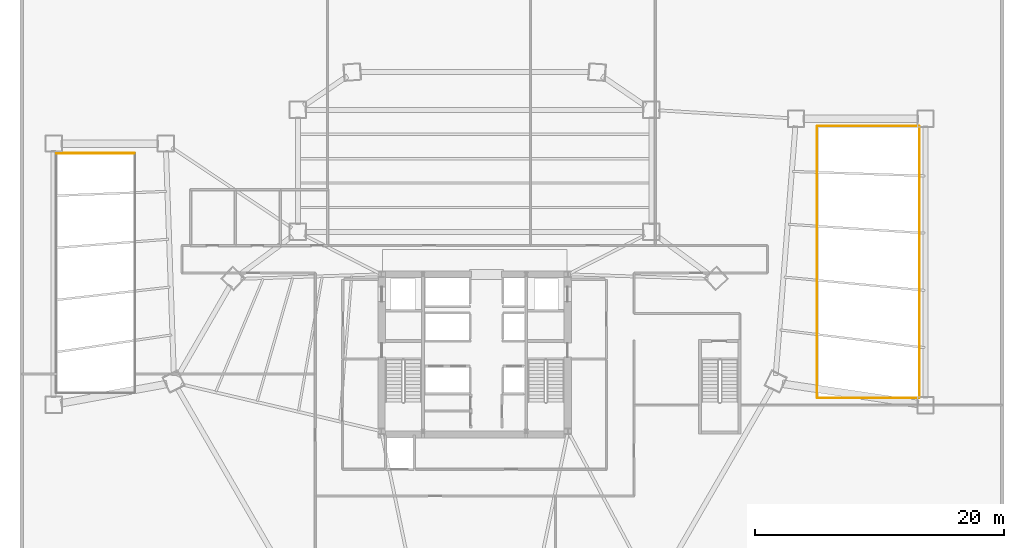
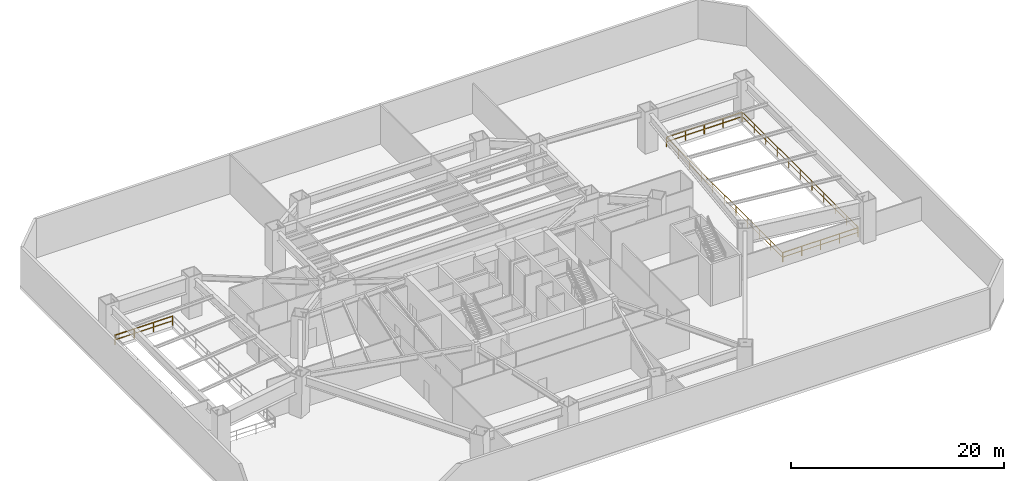
# One storey, part 11 of 11: 5 railings.
"""IFC4 building model written with IfcOpenShell, lengths in metres."""

from ifc_helpers import new_model, si_unit, direction, frame, origin, origin_2d, place, context, subcontext, project, spatial, rectangle, extrude, material, layer, layer_set, type_object, element, save


model = new_model("IFC4")

# Units and contexts
model_context = context("Model", 3, precision=1e-05, world=origin(), true_north=direction((0.0, 1.0)))
body_context = subcontext(model_context, "Body", "Model", "MODEL_VIEW")
ifc_project = project(units=[si_unit("LENGTHUNIT", "METRE"), si_unit("AREAUNIT", "SQUARE_METRE"), si_unit("VOLUMEUNIT", "CUBIC_METRE"), si_unit("PLANEANGLEUNIT", "RADIAN"), si_unit("MASSUNIT", "GRAM", prefix="KILO")], contexts=[model_context])

# Site, building, storey
site_placement = place(None, origin())
site = spatial("IfcSite", under=ifc_project, at=site_placement, CompositionType="ELEMENT")
building_placement = place(site_placement, origin())
building = spatial("IfcBuilding", under=site, at=building_placement, Name="Caelisora Broadcast Tower", CompositionType="ELEMENT")
storey_placement = place(building_placement, frame((0.0, 0.0, 5.39990234375)))
storey = spatial("IfcBuildingStorey", under=building, at=storey_placement, Name="L01", CompositionType="ELEMENT", Elevation=5.39990234375)

# Railings
ifc_material = material(Name="Galvanised Steel Safety Guardrail", Category="steel")
ifc_layer = layer(ifc_material, 0.048095703125, Name="Galvanised Steel Safety Guardrail")
ifc_layer_set = layer_set([ifc_layer], Name="Galvanised Steel Safety Guardrail")
railing_type = type_object("IfcRailingType", Name="GR-1", PredefinedType="GUARDRAIL", material=ifc_layer_set)
railing_1_placement = place(storey_placement, frame((10.679931640625, 39.719970703125, 0.0)))
element("IfcRailing", 1, at=railing_1_placement, inside=storey, type_object=railing_type, Name="L01 STA studio void guardrail #3", PredefinedType="GUARDRAIL", context=body_context, shape_type="SweptSolid", body=[
    extrude(rectangle(XDim=0.048095703125, YDim=0.048095703125, at=origin_2d()), frame((0.0, 0.0, 1.076171875), z_axis=(-1.0, 0.0, 0.0), x_axis=(0.0, -1.0, 0.0)), (0.0, 0.0, 1.0), 6.260009765625),
    extrude(rectangle(XDim=0.03125, YDim=0.03125, at=origin_2d()), frame((0.0, 0.0, 0.550048828125), z_axis=(-1.0, 0.0, 0.0), x_axis=(0.0, -1.0, 0.0)), (0.0, 0.0, 1.0), 6.260009765625),
    extrude(rectangle(XDim=0.0419921875, YDim=0.0419921875, at=origin_2d()), origin(), (0.0, 0.0, 1.0), 1.052001953125),
    extrude(rectangle(XDim=0.0419921875, YDim=0.0419921875, at=origin_2d()), frame((-2.086669921875, 0.0, 0.0)), (0.0, 0.0, 1.0), 1.052001953125),
    extrude(rectangle(XDim=0.0419921875, YDim=0.0419921875, at=origin_2d()), frame((-4.17333984375, 0.0, 0.0)), (0.0, 0.0, 1.0), 1.052001953125),
    extrude(rectangle(XDim=0.0419921875, YDim=0.0419921875, at=origin_2d()), frame((-6.260009765625, 0.0, 0.0)), (0.0, 0.0, 1.0), 1.052001953125),
])
railing_2_placement = place(storey_placement, frame((65.52001953125, 20.080078125, 0.0)))
element("IfcRailing", 2, at=railing_2_placement, inside=storey, type_object=railing_type, Name="L01 STB studio void guardrail #1", PredefinedType="GUARDRAIL", context=body_context, shape_type="SweptSolid", body=[
    extrude(rectangle(XDim=0.048095703125, YDim=0.048095703125, at=origin_2d()), frame((0.0, 0.0, 1.076171875), z_axis=(1.0, 0.0, 0.0), x_axis=(0.0, 1.0, 0.0)), (0.0, 0.0, 1.0), 8.159912109375),
    extrude(rectangle(XDim=0.03125, YDim=0.03125, at=origin_2d()), frame((0.0, 0.0, 0.550048828125), z_axis=(1.0, 0.0, 0.0), x_axis=(0.0, 1.0, 0.0)), (0.0, 0.0, 1.0), 8.159912109375),
    extrude(rectangle(XDim=0.0419921875, YDim=0.0419921875, at=origin_2d()), origin(), (0.0, 0.0, 1.0), 1.052001953125),
    extrude(rectangle(XDim=0.0419921875, YDim=0.0419921875, at=origin_2d()), frame((2.0400390625, 0.0, 0.0)), (0.0, 0.0, 1.0), 1.052001953125),
    extrude(rectangle(XDim=0.0419921875, YDim=0.0419921875, at=origin_2d()), frame((4.080078125, 0.0, 0.0)), (0.0, 0.0, 1.0), 1.052001953125),
    extrude(rectangle(XDim=0.0419921875, YDim=0.0419921875, at=origin_2d()), frame((6.119873046875, 0.0, 0.0)), (0.0, 0.0, 1.0), 1.052001953125),
    extrude(rectangle(XDim=0.0419921875, YDim=0.0419921875, at=origin_2d()), frame((8.159912109375, 0.0, 0.0)), (0.0, 0.0, 1.0), 1.052001953125),
])
railing_3_placement = place(storey_placement, frame((73.719970703125, 20.1201171875, 0.0)))
element("IfcRailing", 3, at=railing_3_placement, inside=storey, type_object=railing_type, Name="L01 STB studio void guardrail #2", PredefinedType="GUARDRAIL", context=body_context, shape_type="SweptSolid", body=[
    extrude(rectangle(XDim=0.048095703125, YDim=0.048095703125, at=origin_2d()), frame((0.0, 0.0, 1.076171875), z_axis=(0.0, 1.0, 0.0), x_axis=(-1.0, 0.0, 0.0)), (0.0, 0.0, 1.0), 21.759765625),
    extrude(rectangle(XDim=0.03125, YDim=0.03125, at=origin_2d()), frame((0.0, 0.0, 0.550048828125), z_axis=(0.0, 1.0, 0.0), x_axis=(-1.0, 0.0, 0.0)), (0.0, 0.0, 1.0), 21.759765625),
    extrude(rectangle(XDim=0.0419921875, YDim=0.0419921875, at=origin_2d()), origin(), (0.0, 0.0, 1.0), 1.052001953125),
    extrude(rectangle(XDim=0.0419921875, YDim=0.0419921875, at=origin_2d()), frame((0.0, 2.176025390625, 0.0)), (0.0, 0.0, 1.0), 1.052001953125),
    extrude(rectangle(XDim=0.0419921875, YDim=0.0419921875, at=origin_2d()), frame((0.0, 4.35205078125, 0.0)), (0.0, 0.0, 1.0), 1.052001953125),
    extrude(rectangle(XDim=0.0419921875, YDim=0.0419921875, at=origin_2d()), frame((0.0, 6.52783203125, 0.0)), (0.0, 0.0, 1.0), 1.052001953125),
    extrude(rectangle(XDim=0.0419921875, YDim=0.0419921875, at=origin_2d()), frame((0.0, 8.703857421875, 0.0)), (0.0, 0.0, 1.0), 1.052001953125),
    extrude(rectangle(XDim=0.0419921875, YDim=0.0419921875, at=origin_2d()), frame((0.0, 10.8798828125, 0.0)), (0.0, 0.0, 1.0), 1.052001953125),
    extrude(rectangle(XDim=0.0419921875, YDim=0.0419921875, at=origin_2d()), frame((0.0, 13.055908203125, 0.0)), (0.0, 0.0, 1.0), 1.052001953125),
    extrude(rectangle(XDim=0.0419921875, YDim=0.0419921875, at=origin_2d()), frame((0.0, 15.23193359375, 0.0)), (0.0, 0.0, 1.0), 1.052001953125),
    extrude(rectangle(XDim=0.0419921875, YDim=0.0419921875, at=origin_2d()), frame((0.0, 17.40771484375, 0.0)), (0.0, 0.0, 1.0), 1.052001953125),
    extrude(rectangle(XDim=0.0419921875, YDim=0.0419921875, at=origin_2d()), frame((0.0, 19.583740234375, 0.0)), (0.0, 0.0, 1.0), 1.052001953125),
    extrude(rectangle(XDim=0.0419921875, YDim=0.0419921875, at=origin_2d()), frame((0.0, 21.759765625, 0.0)), (0.0, 0.0, 1.0), 1.052001953125),
])
railing_4_placement = place(storey_placement, frame((73.679931640625, 41.919921875, 0.0)))
element("IfcRailing", 4, at=railing_4_placement, inside=storey, type_object=railing_type, Name="L01 STB studio void guardrail #3", PredefinedType="GUARDRAIL", context=body_context, shape_type="SweptSolid", body=[
    extrude(rectangle(XDim=0.048095703125, YDim=0.048095703125, at=origin_2d()), frame((0.0, 0.0, 1.076171875), z_axis=(-1.0, 0.0, 0.0), x_axis=(0.0, -1.0, 0.0)), (0.0, 0.0, 1.0), 8.159912109375),
    extrude(rectangle(XDim=0.03125, YDim=0.03125, at=origin_2d()), frame((0.0, 0.0, 0.550048828125), z_axis=(-1.0, 0.0, 0.0), x_axis=(0.0, -1.0, 0.0)), (0.0, 0.0, 1.0), 8.159912109375),
    extrude(rectangle(XDim=0.0419921875, YDim=0.0419921875, at=origin_2d()), origin(), (0.0, 0.0, 1.0), 1.052001953125),
    extrude(rectangle(XDim=0.0419921875, YDim=0.0419921875, at=origin_2d()), frame((-2.0400390625, 0.0, 0.0)), (0.0, 0.0, 1.0), 1.052001953125),
    extrude(rectangle(XDim=0.0419921875, YDim=0.0419921875, at=origin_2d()), frame((-4.080078125, 0.0, 0.0)), (0.0, 0.0, 1.0), 1.052001953125),
    extrude(rectangle(XDim=0.0419921875, YDim=0.0419921875, at=origin_2d()), frame((-6.119873046875, 0.0, 0.0)), (0.0, 0.0, 1.0), 1.052001953125),
    extrude(rectangle(XDim=0.0419921875, YDim=0.0419921875, at=origin_2d()), frame((-8.159912109375, 0.0, 0.0)), (0.0, 0.0, 1.0), 1.052001953125),
])
railing_5_placement = place(storey_placement, frame((65.47998046875, 41.8798828125, 0.0)))
element("IfcRailing", 5, at=railing_5_placement, inside=storey, type_object=railing_type, Name="L01 STB studio void guardrail #4", PredefinedType="GUARDRAIL", context=body_context, shape_type="SweptSolid", body=[
    extrude(rectangle(XDim=0.048095703125, YDim=0.048095703125, at=origin_2d()), frame((0.0, 0.0, 1.076171875), z_axis=(0.0, -1.0, 0.0), x_axis=(1.0, 0.0, 0.0)), (0.0, 0.0, 1.0), 21.759765625),
    extrude(rectangle(XDim=0.03125, YDim=0.03125, at=origin_2d()), frame((0.0, 0.0, 0.550048828125), z_axis=(0.0, -1.0, 0.0), x_axis=(1.0, 0.0, 0.0)), (0.0, 0.0, 1.0), 21.759765625),
    extrude(rectangle(XDim=0.0419921875, YDim=0.0419921875, at=origin_2d()), origin(), (0.0, 0.0, 1.0), 1.052001953125),
    extrude(rectangle(XDim=0.0419921875, YDim=0.0419921875, at=origin_2d()), frame((0.0, -2.176025390625, 0.0)), (0.0, 0.0, 1.0), 1.052001953125),
    extrude(rectangle(XDim=0.0419921875, YDim=0.0419921875, at=origin_2d()), frame((0.0, -4.35205078125, 0.0)), (0.0, 0.0, 1.0), 1.052001953125),
    extrude(rectangle(XDim=0.0419921875, YDim=0.0419921875, at=origin_2d()), frame((0.0, -6.52783203125, 0.0)), (0.0, 0.0, 1.0), 1.052001953125),
    extrude(rectangle(XDim=0.0419921875, YDim=0.0419921875, at=origin_2d()), frame((0.0, -8.703857421875, 0.0)), (0.0, 0.0, 1.0), 1.052001953125),
    extrude(rectangle(XDim=0.0419921875, YDim=0.0419921875, at=origin_2d()), frame((0.0, -10.8798828125, 0.0)), (0.0, 0.0, 1.0), 1.052001953125),
    extrude(rectangle(XDim=0.0419921875, YDim=0.0419921875, at=origin_2d()), frame((0.0, -13.055908203125, 0.0)), (0.0, 0.0, 1.0), 1.052001953125),
    extrude(rectangle(XDim=0.0419921875, YDim=0.0419921875, at=origin_2d()), frame((0.0, -15.23193359375, 0.0)), (0.0, 0.0, 1.0), 1.052001953125),
    extrude(rectangle(XDim=0.0419921875, YDim=0.0419921875, at=origin_2d()), frame((0.0, -17.40771484375, 0.0)), (0.0, 0.0, 1.0), 1.052001953125),
    extrude(rectangle(XDim=0.0419921875, YDim=0.0419921875, at=origin_2d()), frame((0.0, -19.583740234375, 0.0)), (0.0, 0.0, 1.0), 1.052001953125),
    extrude(rectangle(XDim=0.0419921875, YDim=0.0419921875, at=origin_2d()), frame((0.0, -21.759765625, 0.0)), (0.0, 0.0, 1.0), 1.052001953125),
])

save(model, "model.ifc")
